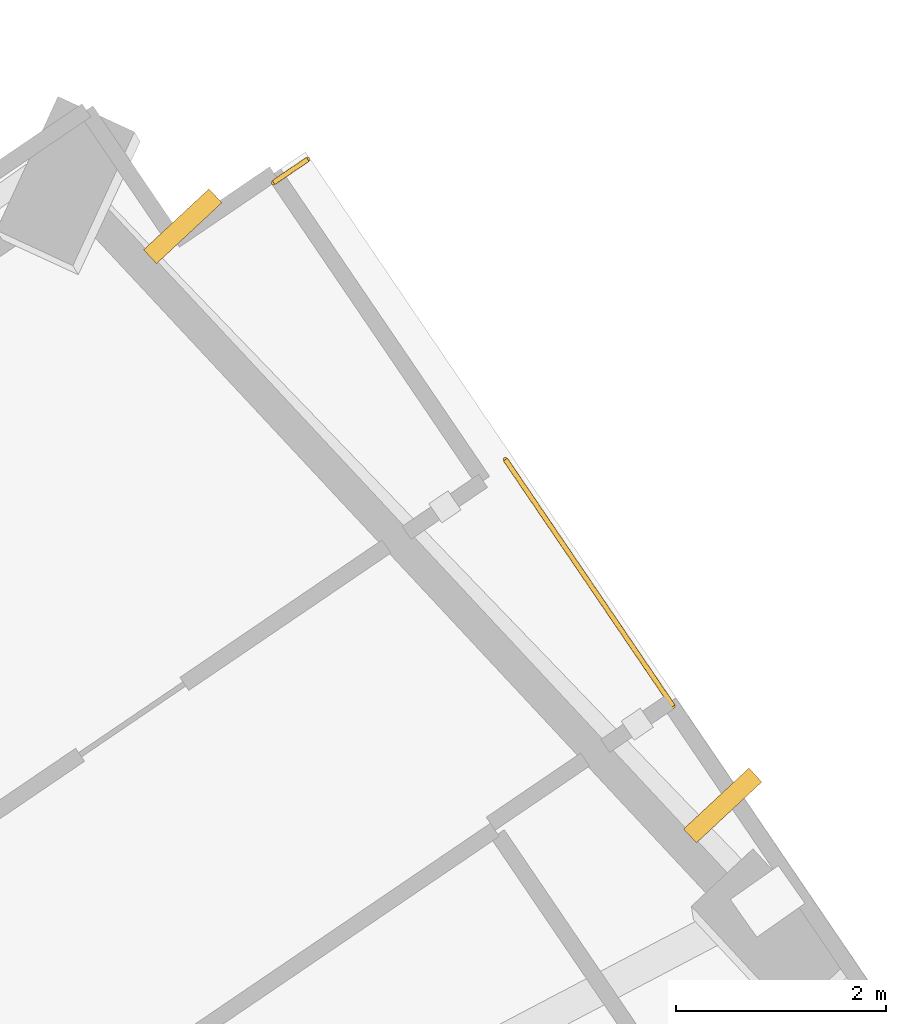
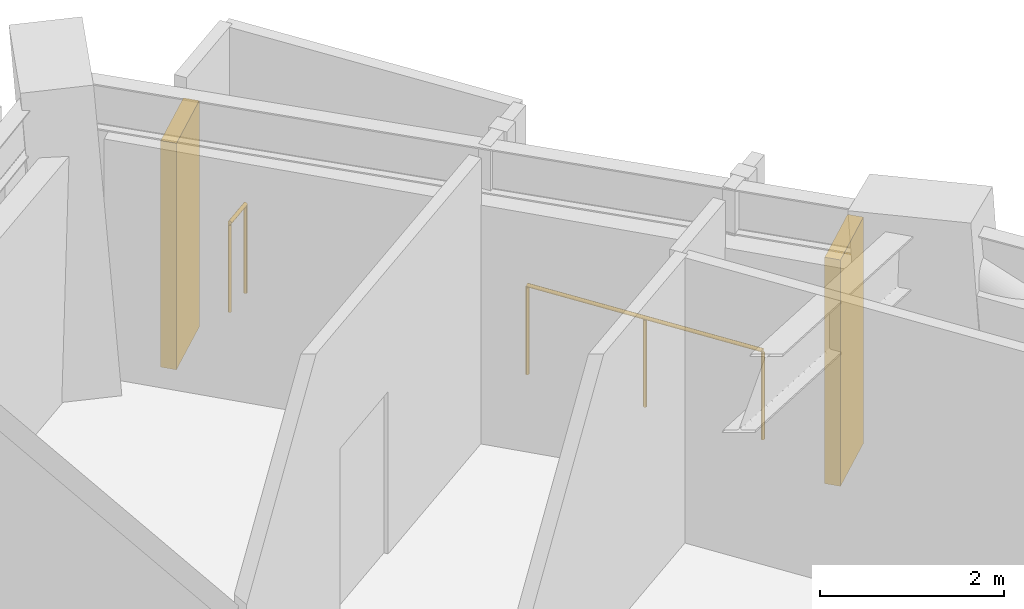
# One storey, part 16 of 16: 2 railings, 2 shading devices.
"""IFC4 building model written with IfcOpenShell, lengths in metres."""

from ifc_helpers import new_model, si_unit, direction, frame, origin, origin_2d, place, context, subcontext, project, spatial, rectangle, circle, extrude, material, layer, layer_set, type_object, element, save


model = new_model("IFC4")

# Units and contexts
model_context = context("Model", 3, precision=1e-05, world=origin(), true_north=direction((0.0, 1.0)))
body_context = subcontext(model_context, "Body", "Model", "MODEL_VIEW")
ifc_project = project(units=[si_unit("LENGTHUNIT", "METRE"), si_unit("AREAUNIT", "SQUARE_METRE"), si_unit("VOLUMEUNIT", "CUBIC_METRE"), si_unit("PLANEANGLEUNIT", "RADIAN"), si_unit("MASSUNIT", "GRAM", prefix="KILO")], contexts=[model_context])

# Site, building, storey
site_placement = place(None, origin())
site = spatial("IfcSite", under=ifc_project, at=site_placement, CompositionType="ELEMENT")
building_placement = place(site_placement, origin())
building = spatial("IfcBuilding", under=site, at=building_placement, Name="Gaonmaruhae Medical Tower", CompositionType="ELEMENT")
storey_placement = place(building_placement, frame((0.0, 0.0, 169.800048828125)))
storey = spatial("IfcBuildingStorey", under=building, at=storey_placement, Name="L40", CompositionType="ELEMENT", Elevation=169.800048828125)

# Railings
ifc_material_1 = material(Name="Stainless steel 316L and laminated safety glass", Category="steel")
ifc_layer = layer(ifc_material_1, 0.080078125)
ifc_layer_set = layer_set([ifc_layer], Name="Stainless steel 316L and laminated safety glass")
railing_type = type_object("IfcRailingType", Name="GD-120 Outdoor Terrace Safety Glass & Steel Balustrade", PredefinedType="BALUSTRADE", material=ifc_layer_set)
railing_1_placement = place(storey_placement, frame((53.778564453125, 35.647705078125, 0.0)))
element("IfcRailing", 1, at=railing_1_placement, inside=storey, type_object=railing_type, Name="L40 Perimeter Slab Edge Safety Balustrade 01", PredefinedType="BALUSTRADE", context=body_context, shape_type="SweptSolid", body=[
    extrude(circle(Radius=0.02392578125, at=origin_2d()), frame((0.0, 0.0, 1.17578125), z_axis=(0.827053421095, 0.562123330467, 0.0), x_axis=(-0.562123330467, 0.827053421095, 0.0)), (0.0, 0.0, 1.0), 0.3935546875),
    extrude(circle(Radius=0.02099609375, at=origin_2d()), origin(), (0.0, 0.0, 1.0), 1.15185546875),
    extrude(circle(Radius=0.02099609375, at=origin_2d()), frame((0.325439453125, 0.22119140625, 0.0)), (0.0, 0.0, 1.0), 1.15185546875),
])
railing_2_placement = place(storey_placement, frame((55.985595703125, 33.010986328125, 0.0)))
element("IfcRailing", 2, at=railing_2_placement, inside=storey, type_object=railing_type, Name="L40 Perimeter Slab Edge Safety Balustrade 02", PredefinedType="BALUSTRADE", context=body_context, shape_type="SweptSolid", body=[
    extrude(circle(Radius=0.02392578125, at=origin_2d()), frame((0.0, 0.0, 1.17578125), z_axis=(0.562100647169, -0.827068837795, 0.0), x_axis=(0.827068837795, 0.562100647169, 0.0)), (0.0, 0.0, 1.0), 2.8388671875),
    extrude(circle(Radius=0.02099609375, at=origin_2d()), origin(), (0.0, 0.0, 1.0), 1.15185546875),
    extrude(circle(Radius=0.02099609375, at=origin_2d()), frame((0.7978515625, -1.173828125, 0.0)), (0.0, 0.0, 1.0), 1.15185546875),
    extrude(circle(Radius=0.02099609375, at=origin_2d()), frame((1.595703125, -2.347900390625, 0.0)), (0.0, 0.0, 1.0), 1.15185546875),
])

# Shading devices
ifc_material_2 = material(Name="Pigmented coral precast concrete C45/55", Category="concrete")
shading_device_type = type_object("IfcShadingDeviceType", Name="SD-FIN1 Tower Vertical Coral Precast Shading Fin", PredefinedType="USERDEFINED", material=ifc_material_2)
for number, where, z_axis, x_axis, name in (
    (3, (52.913818359375, 35.2314453125, 0.08251953125), (0.0, 0.0, 1.0), (0.681883470878, -0.731460820648, 0.0), "L40 Vertical Coral Precast Shading Fin E02"),
    (4, (58.053466796875, 29.718017578125, 0.08251953125), (0.0, 0.0, 1.0), (0.681883470878, -0.731460820648, 0.0), "L40 Vertical Coral Precast Shading Fin E02B"),
):
    element("IfcShadingDevice", number, at=place(storey_placement, frame(where, z_axis=z_axis, x_axis=x_axis)), inside=storey, type_object=shading_device_type, Name=name, ObjectType="FIN", PredefinedType="USERDEFINED", context=body_context, shape_type="SweptSolid", body=[
        extrude(rectangle(XDim=0.179931640625, YDim=0.85009765625, at=origin_2d()), origin(), (0.0, 0.0, 1.0), 3.0),
    ])

save(model, "model.ifc")
